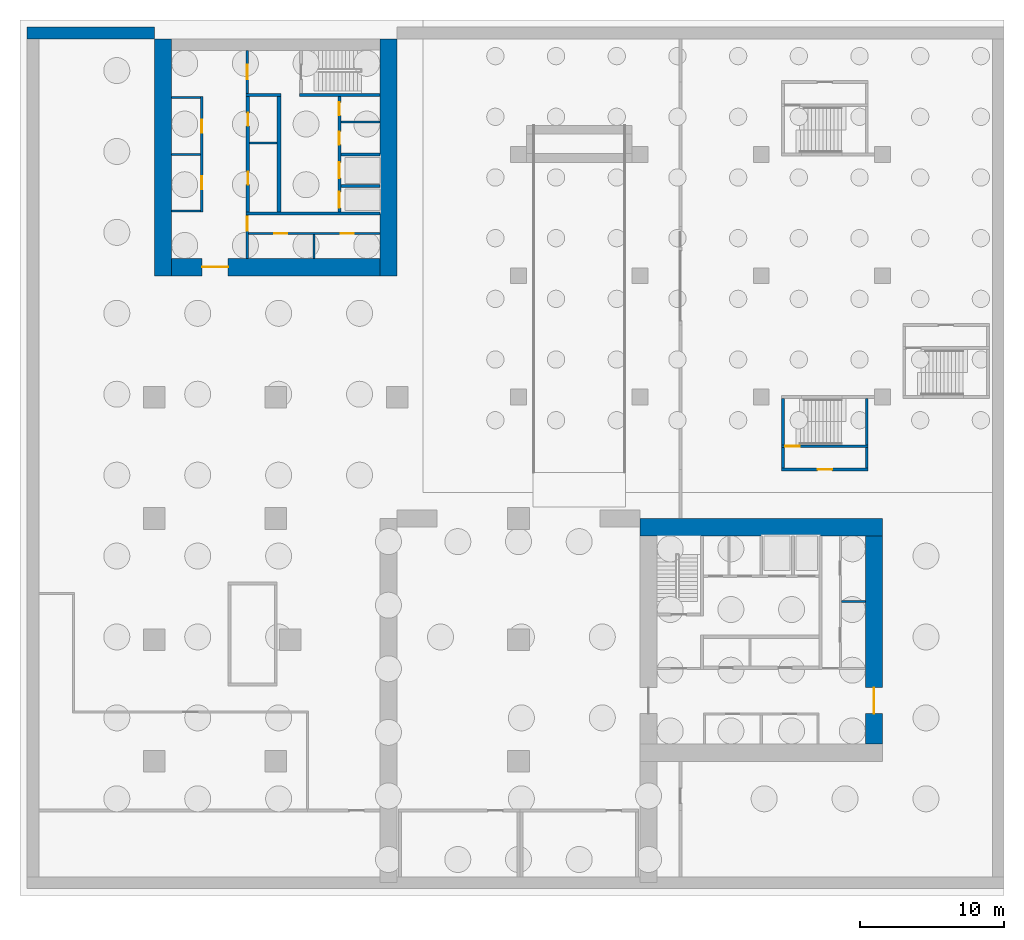
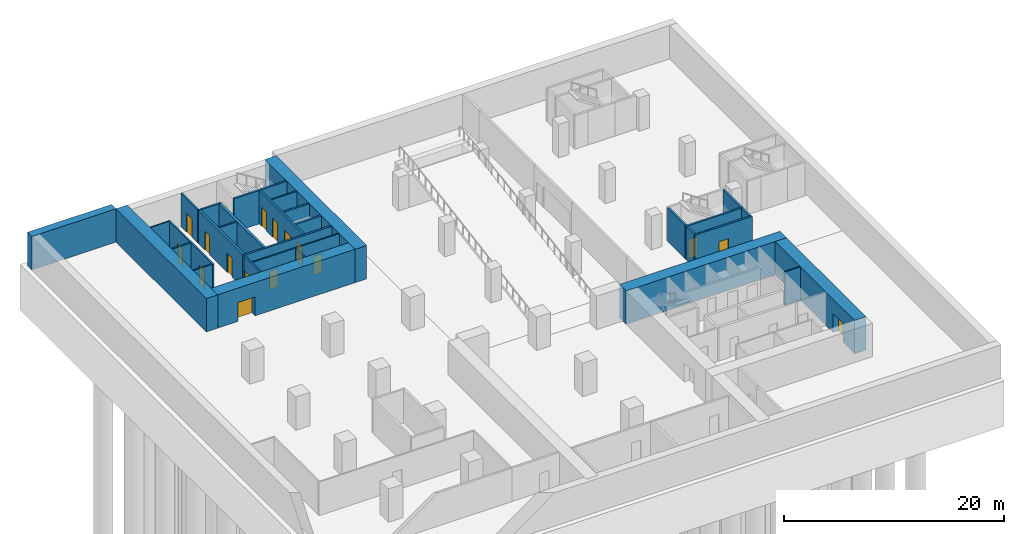
# One storey, part 4 of 8: 31 walls, 16 doors, 16 openings.
"""IFC4 building model written with IfcOpenShell, lengths in metres."""

import ifcopenshell
import ifcopenshell.guid

model = None  # the IFC model being written
_history = None  # IfcOwnerHistory: only IFC2X3 demands one
_inside = {}  # id of a spatial element -> (the spatial element, [elements in it])
_under = {}  # id of a project, library or spatial element -> (it, [spatial elements below it])
_declared = {}  # id of a project -> (the project, [libraries it declares])
_typed = {}  # id of a type object -> (the type object, [elements of that type])
_made_of = {}  # id of a material, layer set ... -> (it, [elements and type objects made of it])


def new_model(schema):
    """Start an empty IFC model of exactly this schema.

    Asked for "IFC4X3", IfcOpenShell would pick the latest addendum, in which some entities
    have other attributes; the version numbers below select the first issue.
    IFC2X3 requires an IfcOwnerHistory on every rooted entity: one is made here for all.
    """
    global model, _history
    if schema == "IFC4X3":
        model = ifcopenshell.file(schema_version=(4, 3, 0, 0))
    else:
        model = ifcopenshell.file(schema=schema)
    _inside.clear()
    _under.clear()
    _declared.clear()
    _typed.clear()
    _made_of.clear()
    _history = None
    if model.schema == "IFC2X3":
        org = make("IfcOrganization", Name="unknown")
        user = make(
            "IfcPersonAndOrganization",
            ThePerson=make("IfcPerson", FamilyName="unknown"),
            TheOrganization=org,
        )
        app = make(
            "IfcApplication",
            ApplicationDeveloper=org,
            Version="unknown",
            ApplicationFullName="unknown",
            ApplicationIdentifier="unknown",
        )
        _history = make(
            "IfcOwnerHistory",
            OwningUser=user,
            OwningApplication=app,
            ChangeAction="ADDED",
            CreationDate=0,
        )
    return model


def make(cls, **values):
    """One entity of the class cls with the attributes given. An attribute that is None is left unset."""
    return model.create_entity(
        cls, **{name: value for name, value in values.items() if value is not None}
    )


def rooted(cls, **values):
    """An entity with a GlobalId (a new one), such as an element, a storey or a relation."""
    return make(cls, GlobalId=ifcopenshell.guid.new(), OwnerHistory=_history, **values)


def si_unit(unit_type, name, prefix=None):
    """IfcSIUnit, for example si_unit("LENGTHUNIT", "METRE", prefix="MILLI")."""
    return make("IfcSIUnit", UnitType=unit_type, Prefix=prefix, Name=name)


def assignment(units):
    """IfcUnitAssignment: the units of a project."""
    return None if units is None else make("IfcUnitAssignment", Units=units)


def point(xyz):
    """IfcCartesianPoint."""
    return None if xyz is None else make("IfcCartesianPoint", Coordinates=xyz)


def direction(xyz):
    """IfcDirection."""
    return None if xyz is None else make("IfcDirection", DirectionRatios=xyz)


def frame(location, z_axis=None, x_axis=None):
    """IfcAxis2Placement3D, a coordinate frame: its origin and axes. An axis left out is left unset."""
    return make(
        "IfcAxis2Placement3D",
        Location=point(location),
        Axis=direction(z_axis),
        RefDirection=direction(x_axis),
    )


def frame_2d(location, x_axis=None):
    """IfcAxis2Placement2D, a coordinate frame in the plane: its origin and x axis."""
    return make(
        "IfcAxis2Placement2D", Location=point(location), RefDirection=direction(x_axis)
    )


def origin():
    """The frame at (0, 0, 0) with its axes left unset."""
    return frame((0.0, 0.0, 0.0))


def place(relative_to, where):
    """IfcLocalPlacement: puts the frame where relative to a parent placement (None: the world)."""
    return make(
        "IfcLocalPlacement", PlacementRelTo=relative_to, RelativePlacement=where
    )


def context(
    kind, dimensions, precision=None, world=None, true_north=None, identifier=None
):
    """IfcGeometricRepresentationContext, for example the 3D "Model" context."""
    return make(
        "IfcGeometricRepresentationContext",
        ContextIdentifier=identifier,
        ContextType=kind,
        CoordinateSpaceDimension=dimensions,
        Precision=precision,
        WorldCoordinateSystem=world,
        TrueNorth=true_north,
    )


def subcontext(parent, identifier, kind, view, scale=None):
    """IfcGeometricRepresentationSubContext, for example "Body" below "Model"."""
    return make(
        "IfcGeometricRepresentationSubContext",
        ContextIdentifier=identifier,
        ContextType=kind,
        ParentContext=parent,
        TargetScale=scale,
        TargetView=view,
    )


def project(units=None, contexts=None):
    """IfcProject with its units and contexts."""
    return rooted(
        "IfcProject",
        Name="project",
        RepresentationContexts=contexts,
        UnitsInContext=assignment(units),
    )


def spatial(cls, under=None, at=None, **own):
    """A site, building, storey or space (cls), placed at a placement, below another one or the project."""
    s = rooted(cls, ObjectPlacement=at, **own)
    if under is not None:
        _under.setdefault(under.id(), (under, []))[1].append(s)
    return s


def profile(cls, at=None, kind="AREA", **sizes):
    """A parametric profile (cls). Its sizes go by their IFC names, for example OverallWidth=200.0."""
    return make(cls, ProfileType=kind, Position=at, **sizes)


def rectangle(**sizes):
    """IfcRectangleProfileDef."""
    return profile("IfcRectangleProfileDef", **sizes)


def extrude(swept, where, along, depth):
    """IfcExtrudedAreaSolid: the profile swept, set in the frame where, extruded along a direction by depth."""
    return make(
        "IfcExtrudedAreaSolid",
        SweptArea=swept,
        Position=where,
        ExtrudedDirection=direction(along),
        Depth=depth,
    )


def shape(context_of_items, identifier, shape_type, items):
    """IfcShapeRepresentation: the items that make up one representation, for example the "Body"."""
    return make(
        "IfcShapeRepresentation",
        ContextOfItems=context_of_items,
        RepresentationIdentifier=identifier,
        RepresentationType=shape_type,
        Items=items,
    )


def material(Name=None, Category=None):
    """IfcMaterial."""
    return make("IfcMaterial", Name=Name, Category=Category)


def layer(
    of_material, thickness, ventilated=None, Name=None, Category=None, Priority=None
):
    """IfcMaterialLayer: one layer of a wall or slab, of a material (None: an air gap)."""
    return make(
        "IfcMaterialLayer",
        Material=of_material,
        LayerThickness=thickness,
        IsVentilated=ventilated,
        Name=Name,
        Category=Category,
        Priority=Priority,
    )


def layer_set(layers, Name=None):
    """IfcMaterialLayerSet."""
    return make("IfcMaterialLayerSet", MaterialLayers=layers, LayerSetName=Name)


def made_of(thing, what):
    """Note that an element or type object is made of a material, layer set ...; save() writes the relation."""
    if what is not None:
        _made_of.setdefault(what.id(), (what, []))[1].append(thing)
    return thing


def type_object(cls, material=None, **own):
    """A type object (cls), such as IfcWallType, which elements share."""
    return made_of(rooted(cls, **own), material)


def element(
    cls,
    number,
    at=None,
    inside=None,
    cuts=None,
    type_object=None,
    material=None,
    context=None,
    identifier="Body",
    shape_type=None,
    held_by="IfcProductDefinitionShape",
    body=None,
    shapes=None,
    **own,
):
    """One element of the class cls, such as IfcWall. Its Tag is "e" and its number.

    at: its placement. inside: the storey or other place that contains it. cuts: it is an
    opening in that element (IfcRelVoidsElement). A single representation is given by context,
    identifier, shape_type and body (its items); several are given by shapes. held_by: the class
    of the entity that holds the representations. save() writes the other relations.
    """
    e = rooted(cls, Tag="e%d" % number, ObjectPlacement=at, **own)
    if body is not None:
        shapes = [shape(context, identifier, shape_type, body)]
    if shapes is not None:
        e.Representation = make(held_by, Representations=shapes)
    if inside is not None:
        _inside.setdefault(inside.id(), (inside, []))[1].append(e)
    if cuts is not None:
        rooted(
            "IfcRelVoidsElement", RelatingBuildingElement=cuts, RelatedOpeningElement=e
        )
    if type_object is not None:
        _typed.setdefault(type_object.id(), (type_object, []))[1].append(e)
    return made_of(e, material)


def fill(opening, filler):
    """IfcRelFillsElement: the door or window that sits in an opening."""
    return rooted(
        "IfcRelFillsElement",
        RelatingOpeningElement=opening,
        RelatedBuildingElement=filler,
    )


def aggregate(whole, parts):
    """IfcRelAggregates: a whole, such as a stair, and the parts it consists of."""
    return rooted("IfcRelAggregates", RelatingObject=whole, RelatedObjects=parts)


def save(model, path):
    """Write the relations noted so far, then the file.

    IfcRelAggregates (storeys below a building ...), IfcRelContainedInSpatialStructure (elements
    in a storey), IfcRelDefinesByType, IfcRelAssociatesMaterial and IfcRelDeclares: one each for
    every whole, place, type object, material and project.
    """
    for whole, parts in _under.values():
        aggregate(whole, parts)
    for where, things in _inside.values():
        rooted(
            "IfcRelContainedInSpatialStructure",
            RelatedElements=things,
            RelatingStructure=where,
        )
    for kind, things in _typed.values():
        rooted("IfcRelDefinesByType", RelatedObjects=things, RelatingType=kind)
    for what, things in _made_of.values():
        rooted("IfcRelAssociatesMaterial", RelatedObjects=things, RelatingMaterial=what)
    for by, libraries in _declared.values():
        rooted("IfcRelDeclares", RelatingContext=by, RelatedDefinitions=libraries)
    model.write(path)


model = new_model("IFC4")

# Units and contexts
model_context = context("Model", 3, precision=1e-05, world=origin(), true_north=direction((0.0, 1.0)))
body_context = subcontext(model_context, "Body", "Model", "MODEL_VIEW")
ifc_project = project(units=[si_unit("LENGTHUNIT", "METRE"), si_unit("AREAUNIT", "SQUARE_METRE"), si_unit("VOLUMEUNIT", "CUBIC_METRE"), si_unit("PLANEANGLEUNIT", "RADIAN"), si_unit("MASSUNIT", "GRAM", prefix="KILO")], contexts=[model_context])

# Site, building, storey
site_placement = place(None, origin())
site = spatial("IfcSite", under=ifc_project, at=site_placement, CompositionType="ELEMENT")
building_placement = place(site_placement, origin())
building = spatial("IfcBuilding", under=site, at=building_placement, Name="Vermilion Gate Residences", CompositionType="ELEMENT")
storey_placement = place(building_placement, frame((0.0, 0.0, -16.0)))
storey = spatial("IfcBuildingStorey", under=building, at=storey_placement, Name="B4", CompositionType="ELEMENT", Elevation=-16.0)

# Walls
ifc_material_1 = material(Name="Masonry blockwork", Category="masonry")
ifc_layer_1 = layer(ifc_material_1, 0.14990234375)
ifc_layer_set_1 = layer_set([ifc_layer_1], Name="BLOCKWORK PARTITION 150 EI 120")
wall_type_1 = type_object("IfcWallType", Name="BLOCKWORK PARTITION 150 EI 120", PredefinedType="PARTITIONING", material=ifc_layer_set_1)
wall_1_placement = place(storey_placement, frame((55.949951171875, 19.449951171875, 0.0), z_axis=(0.0, 0.0, 1.0), x_axis=(1.0, 0.0, 0.0)))
element("IfcWall", 1, at=wall_1_placement, inside=storey, type_object=wall_type_1, Name="Core room partition AB4-ES-P0", PredefinedType="PARTITIONING", context=body_context, shape_type="SweptSolid", body=[
    extrude(rectangle(XDim=1.650146484375, YDim=0.14990234375, at=frame_2d((0.8251953125, 0.0))), origin(), (0.0, 0.0, 1.0), 3.699951171875),
])
for number, where, z_axis, x_axis, name in (
    (2, (9.60009765625, 54.324951171875, 0.0), (0.0, 0.0, 1.0), (1.0, 0.0, 0.0), "Core room partition BB4-RW-W"),
    (3, (9.60009765625, 46.47509765625, 0.0), (0.0, 0.0, 1.0), (1.0, 0.0, 0.0), "Core room partition BB4-RW-E"),
    (4, (9.60009765625, 50.39990234375, 0.0), (0.0, 0.0, 1.0), (1.0, 0.0, 0.0), "Core room partition BB4-SR-P0"),
):
    element("IfcWall", number, at=place(storey_placement, frame(where, z_axis=z_axis, x_axis=x_axis)), inside=storey, type_object=wall_type_1, Name=name, PredefinedType="PARTITIONING", context=body_context, shape_type="SweptSolid", body=[
        extrude(rectangle(XDim=2.0, YDim=0.14990234375, at=frame_2d((1.0, 0.0))), origin(), (0.0, 0.0, 1.0), 3.699951171875),
    ])

# Wall, openings, doors
wall_2_placement = place(storey_placement, frame((11.675048828125, 54.39990234375, 0.0), z_axis=(0.0, 0.0, 1.0), x_axis=(0.0, -1.0, 0.0)))
wall_2 = element("IfcWall", 5, at=wall_2_placement, inside=storey, type_object=wall_type_1, Name="Core room partition BB4-LR-F", PredefinedType="PARTITIONING", context=body_context, shape_type="SweptSolid", body=[
    extrude(rectangle(XDim=8.0, YDim=0.14990234375, at=frame_2d((4.0, 0.0))), origin(), (0.0, 0.0, 1.0), 3.699951171875),
])
opening_1_placement = place(wall_2_placement, frame((1.58740234375, 0.0, 0.0)))
opening_1 = element("IfcOpeningElement", 6, at=opening_1_placement, cuts=wall_2, Name="Opening DKB4102", PredefinedType="OPENING", context=body_context, shape_type="SweptSolid", body=[
    extrude(rectangle(XDim=0.89990234375, YDim=2.10009765625, at=frame_2d((0.449951171875, 1.050048828125))), frame((0.0, 0.0849609375, 0.0), z_axis=(0.0, -1.0, 0.0), x_axis=(1.0, 0.0, 0.0)), (0.0, 0.0, 1.0), 0.169921875),
])
opening_2_placement = place(wall_2_placement, frame((5.512451171875, 0.0, 0.0)))
opening_2 = element("IfcOpeningElement", 7, at=opening_2_placement, cuts=wall_2, Name="Opening DKB4103", PredefinedType="OPENING", context=body_context, shape_type="SweptSolid", body=[
    extrude(rectangle(XDim=0.89990234375, YDim=2.10009765625, at=frame_2d((0.449951171875, 1.050048828125))), frame((0.0, 0.0849609375, 0.0), z_axis=(0.0, -1.0, 0.0), x_axis=(1.0, 0.0, 0.0)), (0.0, 0.0, 1.0), 0.169921875),
])
ifc_material_2 = material(Name="Steel", Category="steel")
door_type_1 = type_object("IfcDoorType", Name="SERVICE ROOM DOOR FD60 900 X 2100", OperationType="SINGLE_SWING_LEFT", PredefinedType="DOOR", material=ifc_material_2)
door_1_placement = place(opening_1_placement, frame((0.89990234375, 0.0, 0.0), z_axis=(0.0, 0.0, 1.0), x_axis=(-1.0, 0.0, 0.0)))
door_1 = element("IfcDoor", 8, at=door_1_placement, inside=storey, type_object=door_type_1, Name="Refuse room BB4", OperationType="SINGLE_SWING_RIGHT", OverallHeight=2.10009765625, OverallWidth=0.89990234375, PredefinedType="DOOR", context=body_context, shape_type="SweptSolid", body=[
    extrude(rectangle(XDim=0.89990234375, YDim=2.10009765625, at=frame_2d((0.449951171875, 1.050048828125))), frame((0.0, 0.02490234375, 0.0), z_axis=(0.0, -1.0, 0.0), x_axis=(1.0, 0.0, 0.0)), (0.0, 0.0, 1.0), 0.050048828125),
])
fill(opening_1, door_1)
door_2_placement = place(opening_2_placement, frame((0.89990234375, 0.0, 0.0), z_axis=(0.0, 0.0, 1.0), x_axis=(-1.0, 0.0, 0.0)))
door_2 = element("IfcDoor", 9, at=door_2_placement, inside=storey, type_object=door_type_1, Name="Parcel room BB4", OperationType="SINGLE_SWING_LEFT", OverallHeight=2.10009765625, OverallWidth=0.89990234375, PredefinedType="DOOR", context=body_context, shape_type="SweptSolid", body=[
    extrude(rectangle(XDim=0.89990234375, YDim=2.10009765625, at=frame_2d((0.449951171875, 1.050048828125))), frame((0.0, 0.02490234375, 0.0), z_axis=(0.0, -1.0, 0.0), x_axis=(1.0, 0.0, 0.0)), (0.0, 0.0, 1.0), 0.050048828125),
])
fill(opening_2, door_2)

# Walls
wall_3_placement = place(storey_placement, frame((15.0, 51.18505859375, 0.0), z_axis=(0.0, 0.0, 1.0), x_axis=(1.0, 0.0, 0.0)))
element("IfcWall", 10, at=wall_3_placement, inside=storey, type_object=wall_type_1, Name="Core room partition BB4-HR-P0", PredefinedType="PARTITIONING", context=body_context, shape_type="SweptSolid", body=[
    extrude(rectangle(XDim=1.89990234375, YDim=0.14990234375, at=frame_2d((0.949951171875, 0.0))), origin(), (0.0, 0.0, 1.0), 3.699951171875),
])
wall_4_placement = place(storey_placement, frame((21.300048828125, 52.637451171875, 0.0), z_axis=(0.0, 0.0, 1.0), x_axis=(1.0, 0.0, 0.0)))
element("IfcWall", 11, at=wall_4_placement, inside=storey, type_object=wall_type_1, Name="Core room partition BB4-NR-P0", PredefinedType="PARTITIONING", context=body_context, shape_type="SweptSolid", body=[
    extrude(rectangle(XDim=2.699951171875, YDim=0.14990234375, at=frame_2d((1.35009765625, 0.0))), origin(), (0.0, 0.0, 1.0), 3.699951171875),
])

# Wall, opening, door
wall_5_placement = place(storey_placement, frame((14.824951171875, 57.60009765625, 0.0), z_axis=(0.0, 0.0, 1.0), x_axis=(0.0, -1.0, 0.0)))
wall_5 = element("IfcWall", 12, at=wall_5_placement, inside=storey, type_object=wall_type_1, Name="Core room partition BB4-VW-S", PredefinedType="PARTITIONING", context=body_context, shape_type="SweptSolid", body=[
    extrude(rectangle(XDim=3.0, YDim=0.14990234375, at=frame_2d((1.5, 0.0))), origin(), (0.0, 0.0, 1.0), 3.699951171875),
])
opening_3_placement = place(wall_5_placement, frame((1.0, 0.0, 0.0)))
opening_3 = element("IfcOpeningElement", 13, at=opening_3_placement, cuts=wall_5, Name="Opening DKB4110", PredefinedType="OPENING", context=body_context, shape_type="SweptSolid", body=[
    extrude(rectangle(XDim=1.0, YDim=2.10009765625, at=frame_2d((0.5, 1.050048828125))), frame((0.0, 0.0849609375, 0.0), z_axis=(0.0, -1.0, 0.0), x_axis=(1.0, 0.0, 0.0)), (0.0, 0.0, 1.0), 0.169921875),
])
ifc_material_3 = material(Name="Steel", Category="steel")
door_type_2 = type_object("IfcDoorType", Name="FIRE DOOR FD60 1000 X 2100", OperationType="SINGLE_SWING_LEFT", PredefinedType="DOOR", material=ifc_material_3)
door_3_placement = place(opening_3_placement, frame((1.0, 0.0, 0.0), z_axis=(0.0, 0.0, 1.0), x_axis=(-1.0, 0.0, 0.0)))
door_3 = element("IfcDoor", 14, at=door_3_placement, inside=storey, type_object=door_type_2, Name="Stair vestibule door BB4", OperationType="SINGLE_SWING_RIGHT", OverallHeight=2.10009765625, OverallWidth=1.0, PredefinedType="DOOR", context=body_context, shape_type="SweptSolid", body=[
    extrude(rectangle(XDim=1.0, YDim=2.10009765625, at=frame_2d((0.5, 1.050048828125))), frame((0.0, 0.02490234375, 0.0), z_axis=(0.0, -1.0, 0.0), x_axis=(1.0, 0.0, 0.0)), (0.0, 0.0, 1.0), 0.050048828125),
])
fill(opening_3, door_3)

wall_6_placement = place(storey_placement, frame((14.824951171875, 46.199951171875, 0.0), z_axis=(0.0, 0.0, 1.0), x_axis=(0.0, -1.0, 0.0)))
wall_6 = element("IfcWall", 15, at=wall_6_placement, inside=storey, type_object=wall_type_1, Name="Core room partition BB4-ES-S", PredefinedType="PARTITIONING", context=body_context, shape_type="SweptSolid", body=[
    extrude(rectangle(XDim=3.0, YDim=0.14990234375, at=frame_2d((1.5, 0.0))), origin(), (0.0, 0.0, 1.0), 3.699951171875),
])
opening_4_placement = place(wall_6_placement, frame((0.10009765625, 0.0, 0.0)))
opening_4 = element("IfcOpeningElement", 16, at=opening_4_placement, cuts=wall_6, Name="Opening DKB4112", PredefinedType="OPENING", context=body_context, shape_type="SweptSolid", body=[
    extrude(rectangle(XDim=1.0, YDim=2.10009765625, at=frame_2d((0.5, 1.050048828125))), frame((0.0, 0.0849609375, 0.0), z_axis=(0.0, -1.0, 0.0), x_axis=(1.0, 0.0, 0.0)), (0.0, 0.0, 1.0), 0.169921875),
])
door_4_placement = place(opening_4_placement, frame((1.0, 0.0, 0.0), z_axis=(0.0, 0.0, 1.0), x_axis=(-1.0, 0.0, 0.0)))
door_4 = element("IfcDoor", 17, at=door_4_placement, inside=storey, type_object=door_type_2, Name="Service corridor door BB4", OperationType="SINGLE_SWING_LEFT", OverallHeight=2.10009765625, OverallWidth=1.0, PredefinedType="DOOR", context=body_context, shape_type="SweptSolid", body=[
    extrude(rectangle(XDim=1.0, YDim=2.10009765625, at=frame_2d((0.5, 1.050048828125))), frame((0.0, 0.02490234375, 0.0), z_axis=(0.0, -1.0, 0.0), x_axis=(1.0, 0.0, 0.0)), (0.0, 0.0, 1.0), 0.050048828125),
])
fill(opening_4, door_4)

# Wall
wall_7_placement = place(storey_placement, frame((19.449951171875, 44.85009765625, 0.0), z_axis=(0.0, 0.0, 1.0), x_axis=(0.0, -1.0, 0.0)))
element("IfcWall", 18, at=wall_7_placement, inside=storey, type_object=wall_type_1, Name="Core room partition BB4-ES-P0", PredefinedType="PARTITIONING", context=body_context, shape_type="SweptSolid", body=[
    extrude(rectangle(XDim=1.650146484375, YDim=0.14990234375, at=frame_2d((0.8251953125, 0.0))), origin(), (0.0, 0.0, 1.0), 3.699951171875),
])

# Wall, openings, doors
wall_8_placement = place(storey_placement, frame((14.89990234375, 44.925048828125, 0.0), z_axis=(0.0, 0.0, 1.0), x_axis=(1.0, 0.0, 0.0)))
wall_8 = element("IfcWall", 19, at=wall_8_placement, inside=storey, type_object=wall_type_1, Name="Core room partition BB4-ES-W", PredefinedType="PARTITIONING", context=body_context, shape_type="SweptSolid", body=[
    extrude(rectangle(XDim=9.10009765625, YDim=0.14990234375, at=frame_2d((4.550048828125, 0.0))), origin(), (0.0, 0.0, 1.0), 3.699951171875),
])
opening_5_placement = place(wall_8_placement, frame((1.78759765625, 0.0, 0.0)))
opening_5 = element("IfcOpeningElement", 20, at=opening_5_placement, cuts=wall_8, Name="Opening DKB4113", PredefinedType="OPENING", context=body_context, shape_type="SweptSolid", body=[
    extrude(rectangle(XDim=0.89990234375, YDim=2.10009765625, at=frame_2d((0.449951171875, 1.050048828125))), frame((0.0, 0.0849609375, 0.0), z_axis=(0.0, -1.0, 0.0), x_axis=(1.0, 0.0, 0.0)), (0.0, 0.0, 1.0), 0.169921875),
])
opening_6_placement = place(wall_8_placement, frame((6.41259765625, 0.0, 0.0)))
opening_6 = element("IfcOpeningElement", 21, at=opening_6_placement, cuts=wall_8, Name="Opening DKB4114", PredefinedType="OPENING", context=body_context, shape_type="SweptSolid", body=[
    extrude(rectangle(XDim=0.89990234375, YDim=2.10009765625, at=frame_2d((0.449951171875, 1.050048828125))), frame((0.0, 0.0849609375, 0.0), z_axis=(0.0, -1.0, 0.0), x_axis=(1.0, 0.0, 0.0)), (0.0, 0.0, 1.0), 0.169921875),
])
door_5_placement = place(opening_5_placement, frame((0.89990234375, 0.0, 0.0), z_axis=(0.0, 0.0, 1.0), x_axis=(-1.0, 0.0, 0.0)))
door_5 = element("IfcDoor", 22, at=door_5_placement, inside=storey, type_object=door_type_1, Name="Parcel room BB4", OperationType="SINGLE_SWING_RIGHT", OverallHeight=2.10009765625, OverallWidth=0.89990234375, PredefinedType="DOOR", context=body_context, shape_type="SweptSolid", body=[
    extrude(rectangle(XDim=0.89990234375, YDim=2.10009765625, at=frame_2d((0.449951171875, 1.050048828125))), frame((0.0, 0.02490234375, 0.0), z_axis=(0.0, -1.0, 0.0), x_axis=(1.0, 0.0, 0.0)), (0.0, 0.0, 1.0), 0.050048828125),
])
fill(opening_5, door_5)
door_6_placement = place(opening_6_placement, frame((0.89990234375, 0.0, 0.0), z_axis=(0.0, 0.0, 1.0), x_axis=(-1.0, 0.0, 0.0)))
door_6 = element("IfcDoor", 23, at=door_6_placement, inside=storey, type_object=door_type_1, Name="Cleaner's store BB4", OperationType="SINGLE_SWING_RIGHT", OverallHeight=2.10009765625, OverallWidth=0.89990234375, PredefinedType="DOOR", context=body_context, shape_type="SweptSolid", body=[
    extrude(rectangle(XDim=0.89990234375, YDim=2.10009765625, at=frame_2d((0.449951171875, 1.050048828125))), frame((0.0, 0.02490234375, 0.0), z_axis=(0.0, -1.0, 0.0), x_axis=(1.0, 0.0, 0.0)), (0.0, 0.0, 1.0), 0.050048828125),
])
fill(opening_6, door_6)

# Walls
ifc_material_4 = material(Name="Concrete C60", Category="concrete")
ifc_layer_2 = layer(ifc_material_4, 0.199951171875)
ifc_layer_set_2 = layer_set([ifc_layer_2], Name="RC CORE INTERNAL WALL 200 C60")
wall_type_2 = type_object("IfcWallType", Name="RC CORE INTERNAL WALL 200 C60", PredefinedType="SHEAR", material=ifc_layer_set_2)
for number, where, z_axis, x_axis, name in (
    (24, (21.300048828125, 50.39990234375, 0.0), (0.0, 0.0, 1.0), (1.0, 0.0, 0.0), "Core internal wall BB4-FF-D0"),
    (25, (21.300048828125, 48.199951171875, 0.0), (0.0, 0.0, 1.0), (1.0, 0.0, 0.0), "Core internal wall BB4-FF-D1"),
):
    element("IfcWall", number, at=place(storey_placement, frame(where, z_axis=z_axis, x_axis=x_axis)), inside=storey, type_object=wall_type_2, Name=name, PredefinedType="SHEAR", context=body_context, shape_type="SweptSolid", body=[
        extrude(rectangle(XDim=2.699951171875, YDim=0.199951171875, at=frame_2d((1.35009765625, 0.0))), origin(), (0.0, 0.0, 1.0), 3.699951171875),
    ])

# Wall, openings, doors
wall_9_placement = place(storey_placement, frame((21.199951171875, 54.39990234375, 0.0), z_axis=(0.0, 0.0, 1.0), x_axis=(0.0, -1.0, 0.0)))
wall_9 = element("IfcWall", 26, at=wall_9_placement, inside=storey, type_object=wall_type_2, Name="Core internal wall BB4-FF-F", PredefinedType="SHEAR", context=body_context, shape_type="SweptSolid", body=[
    extrude(rectangle(XDim=8.0, YDim=0.199951171875, at=frame_2d((4.0, 0.0))), origin(), (0.0, 0.0, 1.0), 3.699951171875),
])
opening_7_placement = place(wall_9_placement, frame((0.393798828125, 0.0, 0.0)))
opening_7 = element("IfcOpeningElement", 27, at=opening_7_placement, cuts=wall_9, Name="Opening DKB4106", PredefinedType="OPENING", context=body_context, shape_type="SweptSolid", body=[
    extrude(rectangle(XDim=0.89990234375, YDim=2.10009765625, at=frame_2d((0.449951171875, 1.050048828125))), frame((0.0, 0.10986328125, 0.0), z_axis=(0.0, -1.0, 0.0), x_axis=(1.0, 0.0, 0.0)), (0.0, 0.0, 1.0), 0.219970703125),
])
opening_8_placement = place(wall_9_placement, frame((2.418701171875, 0.0, 0.0)))
opening_8 = element("IfcOpeningElement", 28, at=opening_8_placement, cuts=wall_9, Name="Opening DKB4107", PredefinedType="OPENING", context=body_context, shape_type="SweptSolid", body=[
    extrude(rectangle(XDim=0.89990234375, YDim=2.10009765625, at=frame_2d((0.449951171875, 1.050048828125))), frame((0.0, 0.10986328125, 0.0), z_axis=(0.0, -1.0, 0.0), x_axis=(1.0, 0.0, 0.0)), (0.0, 0.0, 1.0), 0.219970703125),
])
opening_9_placement = place(wall_9_placement, frame((4.550048828125, 0.0, 0.0)))
opening_9 = element("IfcOpeningElement", 29, at=opening_9_placement, cuts=wall_9, Name="Opening LD", PredefinedType="OPENING", context=body_context, shape_type="SweptSolid", body=[
    extrude(rectangle(XDim=1.10009765625, YDim=2.10009765625, at=frame_2d((0.550048828125, 1.050048828125))), frame((0.0, 0.10986328125, 0.0), z_axis=(0.0, -1.0, 0.0), x_axis=(1.0, 0.0, 0.0)), (0.0, 0.0, 1.0), 0.219970703125),
])
opening_10_placement = place(wall_9_placement, frame((6.60009765625, 0.0, 0.0)))
opening_10 = element("IfcOpeningElement", 30, at=opening_10_placement, cuts=wall_9, Name="Opening LD", PredefinedType="OPENING", context=body_context, shape_type="SweptSolid", body=[
    extrude(rectangle(XDim=1.10009765625, YDim=2.10009765625, at=frame_2d((0.550048828125, 1.050048828125))), frame((0.0, 0.10986328125, 0.0), z_axis=(0.0, -1.0, 0.0), x_axis=(1.0, 0.0, 0.0)), (0.0, 0.0, 1.0), 0.219970703125),
])
ifc_material_5 = material(Name="Stainless steel", Category="steel")
door_type_3 = type_object("IfcDoorType", Name="LIFT LANDING DOOR E60 1100 X 2100", OperationType="DOUBLE_DOOR_SLIDING", PredefinedType="DOOR", material=ifc_material_5)
door_7_placement = place(opening_9_placement, origin())
door_7 = element("IfcDoor", 31, at=door_7_placement, inside=storey, type_object=door_type_3, Name="Lift landing door LFB1", OperationType="DOUBLE_DOOR_SLIDING", OverallHeight=2.10009765625, OverallWidth=1.10009765625, PredefinedType="DOOR", context=body_context, shape_type="SweptSolid", body=[
    extrude(rectangle(XDim=1.10009765625, YDim=2.10009765625, at=frame_2d((0.550048828125, 1.050048828125))), frame((0.0, 0.02490234375, 0.0), z_axis=(0.0, -1.0, 0.0), x_axis=(1.0, 0.0, 0.0)), (0.0, 0.0, 1.0), 0.050048828125),
])
fill(opening_9, door_7)
door_8_placement = place(opening_10_placement, origin())
door_8 = element("IfcDoor", 32, at=door_8_placement, inside=storey, type_object=door_type_3, Name="Lift landing door LCB1", OperationType="DOUBLE_DOOR_SLIDING", OverallHeight=2.10009765625, OverallWidth=1.10009765625, PredefinedType="DOOR", context=body_context, shape_type="SweptSolid", body=[
    extrude(rectangle(XDim=1.10009765625, YDim=2.10009765625, at=frame_2d((0.550048828125, 1.050048828125))), frame((0.0, 0.02490234375, 0.0), z_axis=(0.0, -1.0, 0.0), x_axis=(1.0, 0.0, 0.0)), (0.0, 0.0, 1.0), 0.050048828125),
])
fill(opening_10, door_8)
door_9_placement = place(opening_7_placement, origin())
door_9 = element("IfcDoor", 33, at=door_9_placement, inside=storey, type_object=door_type_1, Name="Communications riser BB4", OperationType="SINGLE_SWING_RIGHT", OverallHeight=2.10009765625, OverallWidth=0.89990234375, PredefinedType="DOOR", context=body_context, shape_type="SweptSolid", body=[
    extrude(rectangle(XDim=0.89990234375, YDim=2.10009765625, at=frame_2d((0.449951171875, 1.050048828125))), frame((0.0, 0.02490234375, 0.0), z_axis=(0.0, -1.0, 0.0), x_axis=(1.0, 0.0, 0.0)), (0.0, 0.0, 1.0), 0.050048828125),
])
fill(opening_7, door_9)
door_10_placement = place(opening_8_placement, origin())
door_10 = element("IfcDoor", 34, at=door_10_placement, inside=storey, type_object=door_type_1, Name="Refuse room BB4", OperationType="SINGLE_SWING_RIGHT", OverallHeight=2.10009765625, OverallWidth=0.89990234375, PredefinedType="DOOR", context=body_context, shape_type="SweptSolid", body=[
    extrude(rectangle(XDim=0.89990234375, YDim=2.10009765625, at=frame_2d((0.449951171875, 1.050048828125))), frame((0.0, 0.02490234375, 0.0), z_axis=(0.0, -1.0, 0.0), x_axis=(1.0, 0.0, 0.0)), (0.0, 0.0, 1.0), 0.050048828125),
])
fill(opening_8, door_10)

# Walls
wall_10_placement = place(storey_placement, frame((14.75, 54.5, 0.0), z_axis=(0.0, 0.0, 1.0), x_axis=(1.0, 0.0, 0.0)))
element("IfcWall", 35, at=wall_10_placement, inside=storey, type_object=wall_type_2, Name="Core internal wall BB4-WDIV1", PredefinedType="SHEAR", context=body_context, shape_type="SweptSolid", body=[
    extrude(rectangle(XDim=2.39990234375, YDim=0.199951171875, at=frame_2d((1.199951171875, 0.0))), origin(), (0.0, 0.0, 1.0), 3.699951171875),
])
wall_11_placement = place(storey_placement, frame((18.449951171875, 54.5, 0.0), z_axis=(0.0, 0.0, 1.0), x_axis=(1.0, 0.0, 0.0)))
element("IfcWall", 36, at=wall_11_placement, inside=storey, type_object=wall_type_2, Name="Core internal wall BB4-WDIV2", PredefinedType="SHEAR", context=body_context, shape_type="SweptSolid", body=[
    extrude(rectangle(XDim=5.550048828125, YDim=0.199951171875, at=frame_2d((2.77490234375, 0.0))), origin(), (0.0, 0.0, 1.0), 3.699951171875),
])
wall_12_placement = place(storey_placement, frame((14.75, 46.300048828125, 0.0), z_axis=(0.0, 0.0, 1.0), x_axis=(1.0, 0.0, 0.0)))
element("IfcWall", 37, at=wall_12_placement, inside=storey, type_object=wall_type_2, Name="Core internal wall BB4-EDIV", PredefinedType="SHEAR", context=body_context, shape_type="SweptSolid", body=[
    extrude(rectangle(XDim=9.25, YDim=0.199951171875, at=frame_2d((4.625, 0.0))), origin(), (0.0, 0.0, 1.0), 3.699951171875),
])
ifc_material_6 = material(Name="Concrete C80", Category="concrete")
ifc_layer_3 = layer(ifc_material_6, 1.199951171875)
ifc_layer_set_3 = layer_set([ifc_layer_3], Name="RC CORE WALL 1200 C80")
wall_type_3 = type_object("IfcWallType", Name="RC CORE WALL 1200 C80", PredefinedType="SHEAR", material=ifc_layer_set_3)
wall_13_placement = place(storey_placement, frame((42.0, 24.60009765625, 0.0), z_axis=(0.0, 0.0, 1.0), x_axis=(1.0, 0.0, 0.0)))
element("IfcWall", 38, at=wall_13_placement, inside=storey, type_object=wall_type_3, Name="Core wall AB4-OUT-B1", PredefinedType="SHEAR", context=body_context, shape_type="SweptSolid", body=[
    extrude(rectangle(XDim=16.800048828125, YDim=1.199951171875, at=frame_2d((8.39990234375, 0.0))), origin(), (0.0, 0.0, 1.0), 3.699951171875),
])

# Wall, opening, door
wall_14_placement = place(storey_placement, frame((58.199951171875, 9.60009765625, 0.0), z_axis=(0.0, 0.0, 1.0), x_axis=(0.0, 1.0, 0.0)))
wall_14 = element("IfcWall", 39, at=wall_14_placement, inside=storey, type_object=wall_type_3, Name="Core wall AB4-OUT-BK", PredefinedType="SHEAR", context=body_context, shape_type="SweptSolid", body=[
    extrude(rectangle(XDim=14.39990234375, YDim=1.199951171875, at=frame_2d((7.199951171875, 0.0))), origin(), (0.0, 0.0, 1.0), 3.699951171875),
])
opening_11_placement = place(wall_14_placement, frame((2.10009765625, 0.0, 0.0)))
opening_11 = element("IfcOpeningElement", 40, at=opening_11_placement, cuts=wall_14, Name="Opening DKB4002", PredefinedType="OPENING", context=body_context, shape_type="SweptSolid", body=[
    extrude(rectangle(XDim=1.800048828125, YDim=2.10009765625, at=frame_2d((0.89990234375, 1.050048828125))), frame((0.0, 0.60986328125, 0.0), z_axis=(0.0, -1.0, 0.0), x_axis=(1.0, 0.0, 0.0)), (0.0, 0.0, 1.0), 1.219970703125),
])
ifc_material_7 = material(Name="Steel", Category="steel")
door_type_4 = type_object("IfcDoorType", Name="CORE LOBBY DOOR FD60 1800 X 2100", OperationType="DOUBLE_DOOR_SINGLE_SWING", PredefinedType="DOOR", material=ifc_material_7)
door_11_placement = place(opening_11_placement, origin())
door_11 = element("IfcDoor", 41, at=door_11_placement, inside=storey, type_object=door_type_4, Name="Core lobby door AB4", OperationType="DOUBLE_DOOR_SINGLE_SWING", OverallHeight=2.10009765625, OverallWidth=1.800048828125, PredefinedType="DOOR", context=body_context, shape_type="SweptSolid", body=[
    extrude(rectangle(XDim=1.800048828125, YDim=2.10009765625, at=frame_2d((0.89990234375, 1.050048828125))), frame((0.0, 0.02490234375, 0.0), z_axis=(0.0, -1.0, 0.0), x_axis=(1.0, 0.0, 0.0)), (0.0, 0.0, 1.0), 0.050048828125),
])
fill(opening_11, door_11)

# Walls
for number, where, z_axis, x_axis, name in (
    (42, (9.0, 58.39990234375, 0.0), (0.0, 0.0, 1.0), (0.0, -1.0, 0.0), "Core wall BB4-OUT-B0"),
    (43, (24.60009765625, 58.39990234375, 0.0), (0.0, 0.0, 1.0), (0.0, -1.0, 0.0), "Core wall BB4-OUT-B1"),
):
    element("IfcWall", number, at=place(storey_placement, frame(where, z_axis=z_axis, x_axis=x_axis)), inside=storey, type_object=wall_type_3, Name=name, PredefinedType="SHEAR", context=body_context, shape_type="SweptSolid", body=[
        extrude(rectangle(XDim=16.39990234375, YDim=1.199951171875, at=frame_2d((8.199951171875, 0.0))), origin(), (0.0, 0.0, 1.0), 3.699951171875),
    ])

# Wall, opening, door
wall_15_placement = place(storey_placement, frame((9.60009765625, 42.60009765625, 0.0), z_axis=(0.0, 0.0, 1.0), x_axis=(1.0, 0.0, 0.0)))
wall_15 = element("IfcWall", 44, at=wall_15_placement, inside=storey, type_object=wall_type_3, Name="Core wall BB4-OUT-BK", PredefinedType="SHEAR", context=body_context, shape_type="SweptSolid", body=[
    extrude(rectangle(XDim=14.39990234375, YDim=1.199951171875, at=frame_2d((7.199951171875, 0.0))), origin(), (0.0, 0.0, 1.0), 3.699951171875),
])
opening_12_placement = place(wall_15_placement, frame((2.10009765625, 0.0, 0.0)))
opening_12 = element("IfcOpeningElement", 45, at=opening_12_placement, cuts=wall_15, Name="Opening DKB4101", PredefinedType="OPENING", context=body_context, shape_type="SweptSolid", body=[
    extrude(rectangle(XDim=1.800048828125, YDim=2.10009765625, at=frame_2d((0.89990234375, 1.050048828125))), frame((0.0, 0.60986328125, 0.0), z_axis=(0.0, -1.0, 0.0), x_axis=(1.0, 0.0, 0.0)), (0.0, 0.0, 1.0), 1.219970703125),
])
door_12_placement = place(opening_12_placement, frame((1.800048828125, 0.0, 0.0), z_axis=(0.0, 0.0, 1.0), x_axis=(-1.0, 0.0, 0.0)))
door_12 = element("IfcDoor", 46, at=door_12_placement, inside=storey, type_object=door_type_4, Name="Core lobby door BB4", OperationType="DOUBLE_DOOR_SINGLE_SWING", OverallHeight=2.10009765625, OverallWidth=1.800048828125, PredefinedType="DOOR", context=body_context, shape_type="SweptSolid", body=[
    extrude(rectangle(XDim=1.800048828125, YDim=2.10009765625, at=frame_2d((0.89990234375, 1.050048828125))), frame((0.0, 0.02490234375, 0.0), z_axis=(0.0, -1.0, 0.0), x_axis=(1.0, 0.0, 0.0)), (0.0, 0.0, 1.0), 0.050048828125),
])
fill(opening_12, door_12)

# Wall
ifc_material_8 = material(Name="Concrete C40", Category="concrete")
ifc_layer_4 = layer(ifc_material_8, 0.800048828125)
ifc_layer_set_4 = layer_set([ifc_layer_4], Name="RC DIAPHRAGM WALL 800 C40")
wall_type_4 = type_object("IfcWallType", Name="RC DIAPHRAGM WALL 800 C40", PredefinedType="SOLIDWALL", material=ifc_layer_set_4)
wall_16_placement = place(storey_placement, frame((-0.39990234375, 58.800048828125, 0.0), z_axis=(0.0, 0.0, 1.0), x_axis=(1.0, 0.0, 0.0)))
element("IfcWall", 47, at=wall_16_placement, inside=storey, type_object=wall_type_4, Name="Diaphragm wall B4 2", PredefinedType="SOLIDWALL", context=body_context, shape_type="SweptSolid", body=[
    extrude(rectangle(XDim=8.7998046875, YDim=0.800048828125, at=frame_2d((4.39990234375, 0.0))), origin(), (0.0, 0.0, 1.0), 3.699951171875),
])

# Wall, openings, doors
ifc_material_9 = material(Name="Concrete C60", Category="concrete")
ifc_layer_5 = layer(ifc_material_9, 0.25)
ifc_layer_set_5 = layer_set([ifc_layer_5], Name="RC LIFT SHAFT WALL 250 C60")
wall_type_5 = type_object("IfcWallType", Name="RC LIFT SHAFT WALL 250 C60", PredefinedType="SHEAR", material=ifc_layer_set_5)
wall_17_placement = place(storey_placement, frame((14.875, 54.39990234375, 0.0), z_axis=(0.0, 0.0, 1.0), x_axis=(0.0, -1.0, 0.0)))
wall_17 = element("IfcWall", 48, at=wall_17_placement, inside=storey, type_object=wall_type_5, Name="Lift shaft wall BB4-HR-F", PredefinedType="SHEAR", context=body_context, shape_type="SweptSolid", body=[
    extrude(rectangle(XDim=8.0, YDim=0.25, at=frame_2d((4.0, 0.0))), origin(), (0.0, 0.0, 1.0), 3.699951171875),
])
opening_13_placement = place(wall_17_placement, frame((1.1201171875, 0.0, 0.0)))
opening_13 = element("IfcOpeningElement", 49, at=opening_13_placement, cuts=wall_17, Name="Opening DKB4104", PredefinedType="OPENING", context=body_context, shape_type="SweptSolid", body=[
    extrude(rectangle(XDim=0.89990234375, YDim=2.10009765625, at=frame_2d((0.449951171875, 1.050048828125))), frame((0.0, 0.135009765625, 0.0), z_axis=(0.0, -1.0, 0.0), x_axis=(1.0, 0.0, 0.0)), (0.0, 0.0, 1.0), 0.27001953125),
])
opening_14_placement = place(wall_17_placement, frame((5.195068359375, 0.0, 0.0)))
opening_14 = element("IfcOpeningElement", 50, at=opening_14_placement, cuts=wall_17, Name="Opening DKB4105", PredefinedType="OPENING", context=body_context, shape_type="SweptSolid", body=[
    extrude(rectangle(XDim=0.89990234375, YDim=2.10009765625, at=frame_2d((0.449951171875, 1.050048828125))), frame((0.0, 0.135009765625, 0.0), z_axis=(0.0, -1.0, 0.0), x_axis=(1.0, 0.0, 0.0)), (0.0, 0.0, 1.0), 0.27001953125),
])
door_13_placement = place(opening_13_placement, frame((0.89990234375, 0.0, 0.0), z_axis=(0.0, 0.0, 1.0), x_axis=(-1.0, 0.0, 0.0)))
door_13 = element("IfcDoor", 51, at=door_13_placement, inside=storey, type_object=door_type_1, Name="Pump room BB4", OperationType="SINGLE_SWING_RIGHT", OverallHeight=2.10009765625, OverallWidth=0.89990234375, PredefinedType="DOOR", context=body_context, shape_type="SweptSolid", body=[
    extrude(rectangle(XDim=0.89990234375, YDim=2.10009765625, at=frame_2d((0.449951171875, 1.050048828125))), frame((0.0, 0.02490234375, 0.0), z_axis=(0.0, -1.0, 0.0), x_axis=(1.0, 0.0, 0.0)), (0.0, 0.0, 1.0), 0.050048828125),
])
fill(opening_13, door_13)
door_14_placement = place(opening_14_placement, origin())
door_14 = element("IfcDoor", 52, at=door_14_placement, inside=storey, type_object=door_type_1, Name="Storage room BB4", OperationType="SINGLE_SWING_LEFT", OverallHeight=2.10009765625, OverallWidth=0.89990234375, PredefinedType="DOOR", context=body_context, shape_type="SweptSolid", body=[
    extrude(rectangle(XDim=0.89990234375, YDim=2.10009765625, at=frame_2d((0.449951171875, 1.050048828125))), frame((0.0, 0.02490234375, 0.0), z_axis=(0.0, -1.0, 0.0), x_axis=(1.0, 0.0, 0.0)), (0.0, 0.0, 1.0), 0.050048828125),
])
fill(opening_14, door_14)

# Walls
wall_18_placement = place(storey_placement, frame((17.02490234375, 54.39990234375, 0.0), z_axis=(0.0, 0.0, 1.0), x_axis=(0.0, -1.0, 0.0)))
element("IfcWall", 53, at=wall_18_placement, inside=storey, type_object=wall_type_5, Name="Lift shaft wall BB4-HR-B", PredefinedType="SHEAR", context=body_context, shape_type="SweptSolid", body=[
    extrude(rectangle(XDim=8.0, YDim=0.25, at=frame_2d((4.0, 0.0))), origin(), (0.0, 0.0, 1.0), 3.699951171875),
])
ifc_material_10 = material(Name="Concrete C40", Category="concrete")
ifc_layer_6 = layer(ifc_material_10, 0.199951171875)
ifc_layer_set_6 = layer_set([ifc_layer_6], Name="RC STAIR AND SHAFT WALL 200 EI 180 C40 (AMENITY)")
wall_type_6 = type_object("IfcWallType", Name="RC STAIR AND SHAFT WALL 200 EI 180 C40 (AMENITY)", PredefinedType="SOLIDWALL", material=ifc_layer_set_6)
wall_19_placement = place(storey_placement, frame((51.89990234375, 28.699951171875, 0.0), z_axis=(0.0, 0.0, 1.0), x_axis=(0.0, 1.0, 0.0)))
element("IfcWall", 54, at=wall_19_placement, inside=storey, type_object=wall_type_6, Name="Stair and shaft wall 13", PredefinedType="SOLIDWALL", context=body_context, shape_type="SweptSolid", body=[
    extrude(rectangle(XDim=1.400146484375, YDim=0.199951171875, at=frame_2d((0.7001953125, 0.0))), origin(), (0.0, 0.0, 1.0), 3.699951171875),
])

# Wall, opening, door
wall_20_placement = place(storey_placement, frame((51.800048828125, 28.60009765625, 0.0), z_axis=(0.0, 0.0, 1.0), x_axis=(1.0, 0.0, 0.0)))
wall_20 = element("IfcWall", 55, at=wall_20_placement, inside=storey, type_object=wall_type_6, Name="Stair and shaft wall 14", PredefinedType="SOLIDWALL", context=body_context, shape_type="SweptSolid", body=[
    extrude(rectangle(XDim=6.0, YDim=0.199951171875, at=frame_2d((3.0, 0.0))), origin(), (0.0, 0.0, 1.0), 3.699951171875),
])
opening_15_placement = place(wall_20_placement, frame((2.5, 0.0, 0.0)))
opening_15 = element("IfcOpeningElement", 56, at=opening_15_placement, cuts=wall_20, Name="Opening DMB4004", PredefinedType="OPENING", context=body_context, shape_type="SweptSolid", body=[
    extrude(rectangle(XDim=1.0, YDim=2.10009765625, at=frame_2d((0.5, 1.050048828125))), frame((0.0, 0.10986328125, 0.0), z_axis=(0.0, -1.0, 0.0), x_axis=(1.0, 0.0, 0.0)), (0.0, 0.0, 1.0), 0.219970703125),
])
ifc_material_11 = material(Name="Steel", Category="steel")
door_type_5 = type_object("IfcDoorType", Name="DOOR 1000 X 2100 FD60 (AMENITY)", OperationType="SINGLE_SWING_LEFT", PredefinedType="DOOR", material=ifc_material_11)
door_15_placement = place(opening_15_placement, frame((1.0, 0.0, 0.0), z_axis=(0.0, 0.0, 1.0), x_axis=(-1.0, 0.0, 0.0)))
door_15 = element("IfcDoor", 57, at=door_15_placement, inside=storey, type_object=door_type_5, Name="Door B4 4", OperationType="SINGLE_SWING_RIGHT", OverallHeight=2.10009765625, OverallWidth=1.0, PredefinedType="DOOR", context=body_context, shape_type="SweptSolid", body=[
    extrude(rectangle(XDim=1.0, YDim=2.10009765625, at=frame_2d((0.5, 1.050048828125))), frame((0.0, 0.02490234375, 0.0), z_axis=(0.0, -1.0, 0.0), x_axis=(1.0, 0.0, 0.0)), (0.0, 0.0, 1.0), 0.050048828125),
])
fill(opening_15, door_15)

# Wall
wall_21_placement = place(storey_placement, frame((51.89990234375, 30.300048828125, 0.0), z_axis=(0.0, 0.0, 1.0), x_axis=(0.0, 1.0, 0.0)))
element("IfcWall", 58, at=wall_21_placement, inside=storey, type_object=wall_type_6, Name="Stair and shaft wall 15", PredefinedType="SOLIDWALL", context=body_context, shape_type="SweptSolid", body=[
    extrude(rectangle(XDim=3.199951171875, YDim=0.199951171875, at=frame_2d((1.60009765625, 0.0))), origin(), (0.0, 0.0, 1.0), 3.699951171875),
])

# Wall, opening, door
wall_22_placement = place(storey_placement, frame((51.800048828125, 30.199951171875, 0.0), z_axis=(0.0, 0.0, 1.0), x_axis=(1.0, 0.0, 0.0)))
wall_22 = element("IfcWall", 59, at=wall_22_placement, inside=storey, type_object=wall_type_6, Name="Stair and shaft wall 16", PredefinedType="SOLIDWALL", context=body_context, shape_type="SweptSolid", body=[
    extrude(rectangle(XDim=6.0, YDim=0.199951171875, at=frame_2d((3.0, 0.0))), origin(), (0.0, 0.0, 1.0), 3.699951171875),
])
opening_16_placement = place(wall_22_placement, frame((0.25, 0.0, 0.0)))
opening_16 = element("IfcOpeningElement", 60, at=opening_16_placement, cuts=wall_22, Name="Opening DMB4005", PredefinedType="OPENING", context=body_context, shape_type="SweptSolid", body=[
    extrude(rectangle(XDim=1.0, YDim=2.10009765625, at=frame_2d((0.5, 1.050048828125))), frame((0.0, 0.10986328125, 0.0), z_axis=(0.0, -1.0, 0.0), x_axis=(1.0, 0.0, 0.0)), (0.0, 0.0, 1.0), 0.219970703125),
])
door_16_placement = place(opening_16_placement, origin())
door_16 = element("IfcDoor", 61, at=door_16_placement, inside=storey, type_object=door_type_5, Name="Door B4 5", OperationType="SINGLE_SWING_RIGHT", OverallHeight=2.10009765625, OverallWidth=1.0, PredefinedType="DOOR", context=body_context, shape_type="SweptSolid", body=[
    extrude(rectangle(XDim=1.0, YDim=2.10009765625, at=frame_2d((0.5, 1.050048828125))), frame((0.0, 0.02490234375, 0.0), z_axis=(0.0, -1.0, 0.0), x_axis=(1.0, 0.0, 0.0)), (0.0, 0.0, 1.0), 0.050048828125),
])
fill(opening_16, door_16)

# Walls
wall_23_placement = place(storey_placement, frame((57.699951171875, 28.699951171875, 0.0), z_axis=(0.0, 0.0, 1.0), x_axis=(0.0, 1.0, 0.0)))
element("IfcWall", 62, at=wall_23_placement, inside=storey, type_object=wall_type_6, Name="Stair and shaft wall 27", PredefinedType="SOLIDWALL", context=body_context, shape_type="SweptSolid", body=[
    extrude(rectangle(XDim=1.400146484375, YDim=0.199951171875, at=frame_2d((0.7001953125, 0.0))), origin(), (0.0, 0.0, 1.0), 3.699951171875),
])
wall_24_placement = place(storey_placement, frame((57.699951171875, 30.300048828125, 0.0), z_axis=(0.0, 0.0, 1.0), x_axis=(0.0, 1.0, 0.0)))
element("IfcWall", 63, at=wall_24_placement, inside=storey, type_object=wall_type_6, Name="Stair and shaft wall 28", PredefinedType="SOLIDWALL", context=body_context, shape_type="SweptSolid", body=[
    extrude(rectangle(XDim=3.199951171875, YDim=0.199951171875, at=frame_2d((1.60009765625, 0.0))), origin(), (0.0, 0.0, 1.0), 3.699951171875),
])

save(model, "model.ifc")
